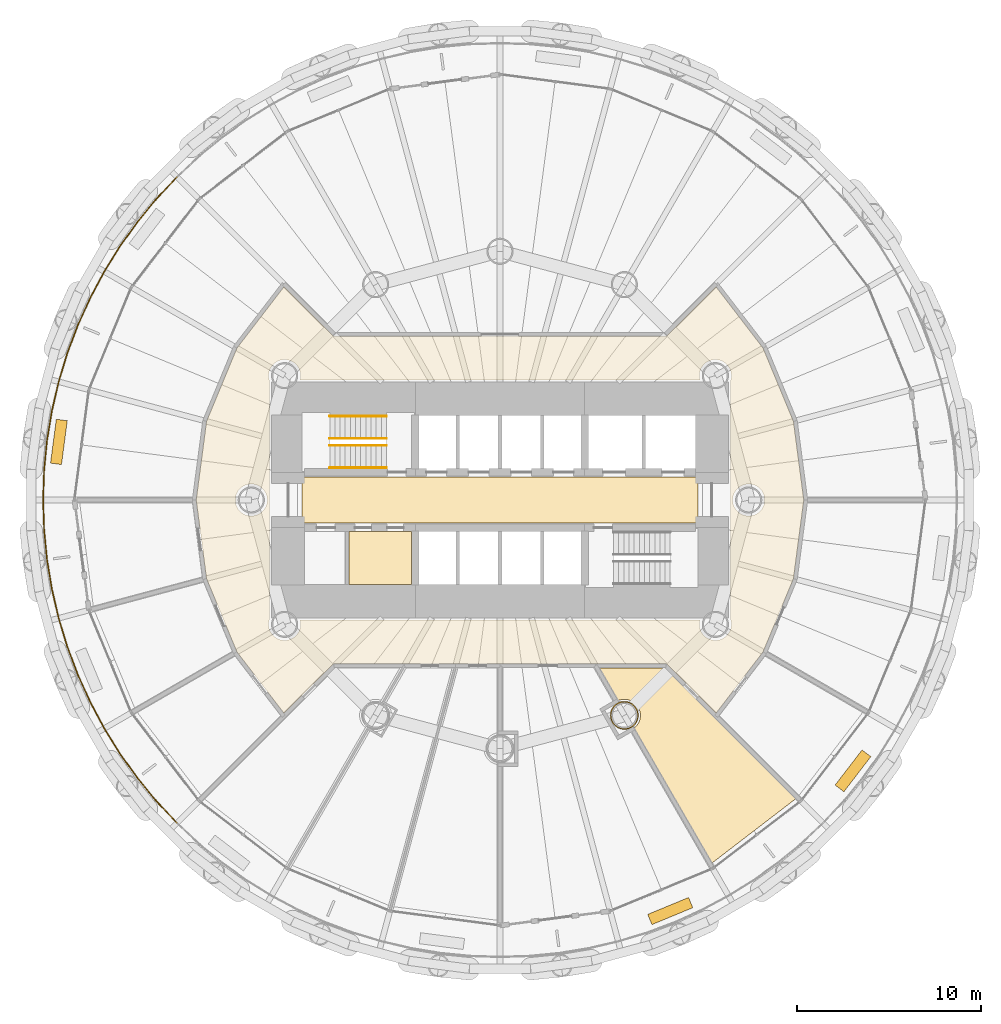
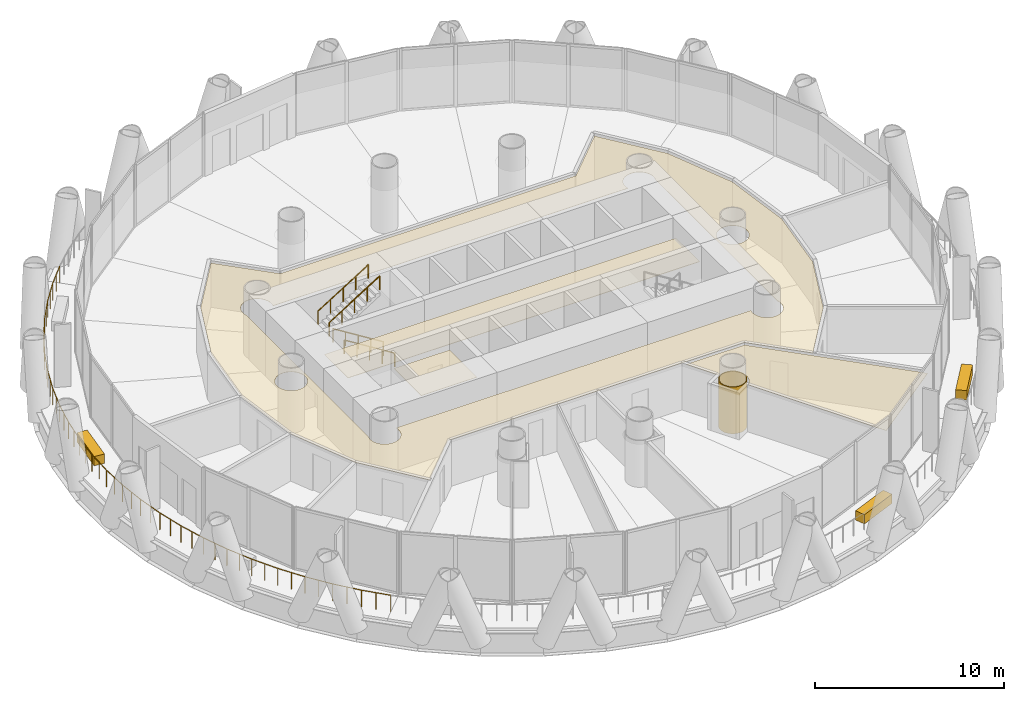
# One storey, part 14 of 16: 8 coverings, 5 railings.
"""IFC4 building model written with IfcOpenShell, lengths in metres."""

from ifc_helpers import new_model, si_unit, direction, frame, origin, origin_2d, place, context, subcontext, project, spatial, polyline, rectangle, circle, outline, extrude, material, layer, layer_set, type_object, element, save


model = new_model("IFC4")

# Units and contexts
model_context = context("Model", 3, precision=1e-05, world=origin(), true_north=direction((0.0, 1.0)))
body_context = subcontext(model_context, "Body", "Model", "MODEL_VIEW")
ifc_project = project(units=[si_unit("LENGTHUNIT", "METRE"), si_unit("AREAUNIT", "SQUARE_METRE"), si_unit("VOLUMEUNIT", "CUBIC_METRE"), si_unit("PLANEANGLEUNIT", "RADIAN"), si_unit("MASSUNIT", "GRAM", prefix="KILO")], contexts=[model_context])

# Site, building, storey
site_placement = place(None, origin())
site = spatial("IfcSite", under=ifc_project, at=site_placement, CompositionType="ELEMENT")
building_placement = place(site_placement, origin())
building = spatial("IfcBuilding", under=site, at=building_placement, Name="Qaws Media Tower", CompositionType="ELEMENT")
storey_placement = place(building_placement, frame((0.0, 0.0, 80.60009765625)))
storey = spatial("IfcBuildingStorey", under=building, at=storey_placement, Name="L17", CompositionType="ELEMENT", Elevation=80.60009765625)

# Railing
ifc_material_1 = material(Name="Stainless steel and glass guard", Category="steel")
railing_type_1 = type_object("IfcRailingType", Name="Balcony guard 1100", PredefinedType="GUARDRAIL", material=ifc_material_1)
railing_placement = place(storey_placement, frame((42.4638671875, 67.5361328125, 0.0)))
element("IfcRailing", 1, at=railing_placement, inside=storey, type_object=railing_type_1, Name="GR1 balcony guard L17-2", PredefinedType="GUARDRAIL", context=body_context, shape_type="SweptSolid", body=[
    extrude(circle(Radius=0.02392578125, at=origin_2d()), frame((0.0, 0.0, 1.076171875), z_axis=(-0.683635794022, -0.729823335563, 0.0), x_axis=(0.729823335563, -0.683635794022, 0.0)), (0.0, 0.0, 1.0), 1.622802734375),
    extrude(circle(Radius=0.02392578125, at=origin_2d()), frame((-1.109375, -1.184326171875, 1.076171875), z_axis=(-0.634351188595, -0.773044998385, 0.0), x_axis=(0.773044998385, -0.634351188595, 0.0)), (0.0, 0.0, 1.0), 1.623046875),
    extrude(circle(Radius=0.02392578125, at=origin_2d()), frame((-2.138916015625, -2.43896484375, 1.076171875), z_axis=(-0.582504032604, -0.812827812024, 0.0), x_axis=(0.812827812024, -0.582504032604, 0.0)), (0.0, 0.0, 1.0), 1.622802734375),
    extrude(circle(Radius=0.02392578125, at=origin_2d()), frame((-3.084228515625, -3.758056640625, 1.076171875), z_axis=(-0.528145239967, -0.849154052867, 0.0), x_axis=(0.849154052867, -0.528145239967, 0.0)), (0.0, 0.0, 1.0), 1.623046875),
    extrude(circle(Radius=0.02392578125, at=origin_2d()), frame((-3.94140625, -5.13623046875, 1.076171875), z_axis=(-0.471361130301, -0.881940295508, 0.0), x_axis=(0.881940295508, -0.471361130301, 0.0)), (0.0, 0.0, 1.0), 1.622802734375),
    extrude(circle(Radius=0.02392578125, at=origin_2d()), frame((-4.706298828125, -6.5673828125, 1.076171875), z_axis=(-0.412646518677, -0.910891239734, 0.0), x_axis=(0.910891239734, -0.412646518677, 0.0)), (0.0, 0.0, 1.0), 1.622802734375),
    extrude(circle(Radius=0.02392578125, at=origin_2d()), frame((-5.3759765625, -8.045654296875, 1.076171875), z_axis=(-0.352326658486, -0.935877089003, 0.0), x_axis=(0.935877089003, -0.352326658486, 0.0)), (0.0, 0.0, 1.0), 1.622802734375),
    extrude(circle(Radius=0.02392578125, at=origin_2d()), frame((-5.94775390625, -9.564453125, 1.076171875), z_axis=(-0.290341398585, -0.956923127669, 0.0), x_axis=(0.956923127669, -0.290341398585, 0.0)), (0.0, 0.0, 1.0), 1.622802734375),
    extrude(circle(Radius=0.02392578125, at=origin_2d()), frame((-6.4189453125, -11.117431640625, 1.076171875), z_axis=(-0.227001346389, -0.973894444351, 0.0), x_axis=(0.973894444351, -0.227001346389, 0.0)), (0.0, 0.0, 1.0), 1.623046875),
    extrude(circle(Radius=0.02392578125, at=origin_2d()), frame((-6.787353515625, -12.697998046875, 1.076171875), z_axis=(-0.162934989647, -0.986636807112, 0.0), x_axis=(0.986636807112, -0.162934989647, 0.0)), (0.0, 0.0, 1.0), 1.622802734375),
    extrude(circle(Radius=0.02392578125, at=origin_2d()), frame((-7.0517578125, -14.299072265625, 1.076171875), z_axis=(-0.097939565983, -0.995192364026, 0.0), x_axis=(0.995192364026, -0.097939565983, 0.0)), (0.0, 0.0, 1.0), 1.622802734375),
    extrude(circle(Radius=0.02392578125, at=origin_2d()), frame((-7.210693359375, -15.9140625, 1.076171875), z_axis=(-0.032793911114, -0.999462135048, 0.0), x_axis=(0.999462135048, -0.032793911114, 0.0)), (0.0, 0.0, 1.0), 1.623046875),
    extrude(circle(Radius=0.02392578125, at=origin_2d()), frame((-7.263916015625, -17.5361328125, 1.076171875), z_axis=(0.032793911114, -0.999462135048, 0.0), x_axis=(0.999462135048, 0.032793911114, 0.0)), (0.0, 0.0, 1.0), 1.623046875),
    extrude(circle(Radius=0.02392578125, at=origin_2d()), frame((-7.210693359375, -19.158203125, 1.076171875), z_axis=(0.097939565983, -0.995192364026, 0.0), x_axis=(0.995192364026, 0.097939565983, 0.0)), (0.0, 0.0, 1.0), 1.622802734375),
    extrude(circle(Radius=0.02392578125, at=origin_2d()), frame((-7.0517578125, -20.773193359375, 1.076171875), z_axis=(0.162934989647, -0.986636807112, 0.0), x_axis=(0.986636807112, 0.162934989647, 0.0)), (0.0, 0.0, 1.0), 1.622802734375),
    extrude(circle(Radius=0.02392578125, at=origin_2d()), frame((-6.787353515625, -22.374267578125, 1.076171875), z_axis=(0.227001346389, -0.973894444351, 0.0), x_axis=(0.973894444351, 0.227001346389, 0.0)), (0.0, 0.0, 1.0), 1.623046875),
    extrude(circle(Radius=0.02392578125, at=origin_2d()), frame((-6.4189453125, -23.954833984375, 1.076171875), z_axis=(0.290341398585, -0.956923127669, 0.0), x_axis=(0.956923127669, 0.290341398585, 0.0)), (0.0, 0.0, 1.0), 1.622802734375),
    extrude(circle(Radius=0.02392578125, at=origin_2d()), frame((-5.94775390625, -25.5078125, 1.076171875), z_axis=(0.352326658486, -0.935877089003, 0.0), x_axis=(0.935877089003, 0.352326658486, 0.0)), (0.0, 0.0, 1.0), 1.622802734375),
    extrude(circle(Radius=0.02392578125, at=origin_2d()), frame((-5.3759765625, -27.026611328125, 1.076171875), z_axis=(0.412646518677, -0.910891239734, 0.0), x_axis=(0.910891239734, 0.412646518677, 0.0)), (0.0, 0.0, 1.0), 1.622802734375),
    extrude(circle(Radius=0.02392578125, at=origin_2d()), frame((-4.706298828125, -28.5048828125, 1.076171875), z_axis=(0.471361130301, -0.881940295508, 0.0), x_axis=(0.881940295508, 0.471361130301, 0.0)), (0.0, 0.0, 1.0), 1.622802734375),
    extrude(circle(Radius=0.02392578125, at=origin_2d()), frame((-3.94140625, -29.93603515625, 1.076171875), z_axis=(0.528145239967, -0.849154052867, 0.0), x_axis=(0.849154052867, 0.528145239967, 0.0)), (0.0, 0.0, 1.0), 1.623046875),
    extrude(circle(Radius=0.02392578125, at=origin_2d()), frame((-3.084228515625, -31.314208984375, 1.076171875), z_axis=(0.582504032604, -0.812827812024, 0.0), x_axis=(0.812827812024, 0.582504032604, 0.0)), (0.0, 0.0, 1.0), 1.622802734375),
    extrude(circle(Radius=0.02392578125, at=origin_2d()), frame((-2.138916015625, -32.63330078125, 1.076171875), z_axis=(0.634351188595, -0.773044998385, 0.0), x_axis=(0.773044998385, 0.634351188595, 0.0)), (0.0, 0.0, 1.0), 1.623046875),
    extrude(circle(Radius=0.02392578125, at=origin_2d()), frame((-1.109375, -33.887939453125, 1.076171875), z_axis=(0.683635794022, -0.729823335563, 0.0), x_axis=(0.729823335563, 0.683635794022, 0.0)), (0.0, 0.0, 1.0), 1.622802734375),
    extrude(circle(Radius=0.02099609375, at=origin_2d()), origin(), (0.0, 0.0, 1.0), 1.052001953125),
    extrude(circle(Radius=0.02099609375, at=origin_2d()), frame((-0.5546875, -0.59228515625, 0.0)), (0.0, 0.0, 1.0), 1.052001953125),
    extrude(circle(Radius=0.02099609375, at=origin_2d()), frame((-1.109375, -1.184326171875, 0.0)), (0.0, 0.0, 1.0), 1.052001953125),
    extrude(circle(Radius=0.02099609375, at=origin_2d()), frame((-1.6240234375, -1.8115234375, 0.0)), (0.0, 0.0, 1.0), 1.052001953125),
    extrude(circle(Radius=0.02099609375, at=origin_2d()), frame((-2.138916015625, -2.43896484375, 0.0)), (0.0, 0.0, 1.0), 1.052001953125),
    extrude(circle(Radius=0.02099609375, at=origin_2d()), frame((-2.611572265625, -3.0986328125, 0.0)), (0.0, 0.0, 1.0), 1.052001953125),
    extrude(circle(Radius=0.02099609375, at=origin_2d()), frame((-3.084228515625, -3.758056640625, 0.0)), (0.0, 0.0, 1.0), 1.052001953125),
    extrude(circle(Radius=0.02099609375, at=origin_2d()), frame((-3.5126953125, -4.447265625, 0.0)), (0.0, 0.0, 1.0), 1.052001953125),
    extrude(circle(Radius=0.02099609375, at=origin_2d()), frame((-3.94140625, -5.13623046875, 0.0)), (0.0, 0.0, 1.0), 1.052001953125),
    extrude(circle(Radius=0.02099609375, at=origin_2d()), frame((-4.32373046875, -5.851806640625, 0.0)), (0.0, 0.0, 1.0), 1.052001953125),
    extrude(circle(Radius=0.02099609375, at=origin_2d()), frame((-4.706298828125, -6.5673828125, 0.0)), (0.0, 0.0, 1.0), 1.052001953125),
    extrude(circle(Radius=0.02099609375, at=origin_2d()), frame((-5.041015625, -7.306640625, 0.0)), (0.0, 0.0, 1.0), 1.052001953125),
    extrude(circle(Radius=0.02099609375, at=origin_2d()), frame((-5.3759765625, -8.045654296875, 0.0)), (0.0, 0.0, 1.0), 1.052001953125),
    extrude(circle(Radius=0.02099609375, at=origin_2d()), frame((-5.661865234375, -8.80517578125, 0.0)), (0.0, 0.0, 1.0), 1.052001953125),
    extrude(circle(Radius=0.02099609375, at=origin_2d()), frame((-5.94775390625, -9.564453125, 0.0)), (0.0, 0.0, 1.0), 1.052001953125),
    extrude(circle(Radius=0.02099609375, at=origin_2d()), frame((-6.183349609375, -10.3408203125, 0.0)), (0.0, 0.0, 1.0), 1.052001953125),
    extrude(circle(Radius=0.02099609375, at=origin_2d()), frame((-6.4189453125, -11.117431640625, 0.0)), (0.0, 0.0, 1.0), 1.052001953125),
    extrude(circle(Radius=0.02099609375, at=origin_2d()), frame((-6.60302734375, -11.90771484375, 0.0)), (0.0, 0.0, 1.0), 1.052001953125),
    extrude(circle(Radius=0.02099609375, at=origin_2d()), frame((-6.787353515625, -12.697998046875, 0.0)), (0.0, 0.0, 1.0), 1.052001953125),
    extrude(circle(Radius=0.02099609375, at=origin_2d()), frame((-6.91943359375, -13.49853515625, 0.0)), (0.0, 0.0, 1.0), 1.052001953125),
    extrude(circle(Radius=0.02099609375, at=origin_2d()), frame((-7.0517578125, -14.299072265625, 0.0)), (0.0, 0.0, 1.0), 1.052001953125),
    extrude(circle(Radius=0.02099609375, at=origin_2d()), frame((-7.13134765625, -15.1064453125, 0.0)), (0.0, 0.0, 1.0), 1.052001953125),
    extrude(circle(Radius=0.02099609375, at=origin_2d()), frame((-7.210693359375, -15.9140625, 0.0)), (0.0, 0.0, 1.0), 1.052001953125),
    extrude(circle(Radius=0.02099609375, at=origin_2d()), frame((-7.2373046875, -16.72509765625, 0.0)), (0.0, 0.0, 1.0), 1.052001953125),
    extrude(circle(Radius=0.02099609375, at=origin_2d()), frame((-7.263916015625, -17.5361328125, 0.0)), (0.0, 0.0, 1.0), 1.052001953125),
    extrude(circle(Radius=0.02099609375, at=origin_2d()), frame((-7.2373046875, -18.34716796875, 0.0)), (0.0, 0.0, 1.0), 1.052001953125),
    extrude(circle(Radius=0.02099609375, at=origin_2d()), frame((-7.210693359375, -19.158203125, 0.0)), (0.0, 0.0, 1.0), 1.052001953125),
    extrude(circle(Radius=0.02099609375, at=origin_2d()), frame((-7.13134765625, -19.9658203125, 0.0)), (0.0, 0.0, 1.0), 1.052001953125),
    extrude(circle(Radius=0.02099609375, at=origin_2d()), frame((-7.0517578125, -20.773193359375, 0.0)), (0.0, 0.0, 1.0), 1.052001953125),
    extrude(circle(Radius=0.02099609375, at=origin_2d()), frame((-6.91943359375, -21.57373046875, 0.0)), (0.0, 0.0, 1.0), 1.052001953125),
    extrude(circle(Radius=0.02099609375, at=origin_2d()), frame((-6.787353515625, -22.374267578125, 0.0)), (0.0, 0.0, 1.0), 1.052001953125),
    extrude(circle(Radius=0.02099609375, at=origin_2d()), frame((-6.60302734375, -23.16455078125, 0.0)), (0.0, 0.0, 1.0), 1.052001953125),
    extrude(circle(Radius=0.02099609375, at=origin_2d()), frame((-6.4189453125, -23.954833984375, 0.0)), (0.0, 0.0, 1.0), 1.052001953125),
    extrude(circle(Radius=0.02099609375, at=origin_2d()), frame((-6.183349609375, -24.7314453125, 0.0)), (0.0, 0.0, 1.0), 1.052001953125),
    extrude(circle(Radius=0.02099609375, at=origin_2d()), frame((-5.94775390625, -25.5078125, 0.0)), (0.0, 0.0, 1.0), 1.052001953125),
    extrude(circle(Radius=0.02099609375, at=origin_2d()), frame((-5.661865234375, -26.26708984375, 0.0)), (0.0, 0.0, 1.0), 1.052001953125),
    extrude(circle(Radius=0.02099609375, at=origin_2d()), frame((-5.3759765625, -27.026611328125, 0.0)), (0.0, 0.0, 1.0), 1.052001953125),
    extrude(circle(Radius=0.02099609375, at=origin_2d()), frame((-5.041015625, -27.765625, 0.0)), (0.0, 0.0, 1.0), 1.052001953125),
    extrude(circle(Radius=0.02099609375, at=origin_2d()), frame((-4.706298828125, -28.5048828125, 0.0)), (0.0, 0.0, 1.0), 1.052001953125),
    extrude(circle(Radius=0.02099609375, at=origin_2d()), frame((-4.32373046875, -29.220458984375, 0.0)), (0.0, 0.0, 1.0), 1.052001953125),
    extrude(circle(Radius=0.02099609375, at=origin_2d()), frame((-3.94140625, -29.93603515625, 0.0)), (0.0, 0.0, 1.0), 1.052001953125),
    extrude(circle(Radius=0.02099609375, at=origin_2d()), frame((-3.5126953125, -30.625, 0.0)), (0.0, 0.0, 1.0), 1.052001953125),
    extrude(circle(Radius=0.02099609375, at=origin_2d()), frame((-3.084228515625, -31.314208984375, 0.0)), (0.0, 0.0, 1.0), 1.052001953125),
    extrude(circle(Radius=0.02099609375, at=origin_2d()), frame((-2.611572265625, -31.9736328125, 0.0)), (0.0, 0.0, 1.0), 1.052001953125),
    extrude(circle(Radius=0.02099609375, at=origin_2d()), frame((-2.138916015625, -32.63330078125, 0.0)), (0.0, 0.0, 1.0), 1.052001953125),
    extrude(circle(Radius=0.02099609375, at=origin_2d()), frame((-1.6240234375, -33.2607421875, 0.0)), (0.0, 0.0, 1.0), 1.052001953125),
    extrude(circle(Radius=0.02099609375, at=origin_2d()), frame((-1.109375, -33.887939453125, 0.0)), (0.0, 0.0, 1.0), 1.052001953125),
    extrude(circle(Radius=0.02099609375, at=origin_2d()), frame((-0.5546875, -34.47998046875, 0.0)), (0.0, 0.0, 1.0), 1.052001953125),
    extrude(circle(Radius=0.02099609375, at=origin_2d()), frame((0.0, -35.072265625, 0.0)), (0.0, 0.0, 1.0), 1.052001953125),
])

# Coverings
ifc_material_2 = material(Name="Two layers 15 fire-rated gypsum board on steel framing", Category="steel")
ifc_layer_1 = layer(ifc_material_2, 0.050048828125)
ifc_layer_set_1 = layer_set([ifc_layer_1], Name="Column fire casing")
covering_type_1 = type_object("IfcCoveringType", Name="Column fire casing", PredefinedType="CLADDING", material=ifc_layer_set_1)
covering_1_placement = place(storey_placement, origin())
element("IfcCovering", 2, at=covering_1_placement, inside=storey, type_object=covering_type_1, Name="CC1 column casing L17", PredefinedType="CLADDING", context=body_context, shape_type="SweptSolid", body=[
    extrude(outline(polyline([(67.51611328125, 38.30859375), (67.509521484375, 38.208740234375), (67.489990234375, 38.1103515625), (67.457763671875, 38.015380859375), (67.413330078125, 37.92578125), (67.357666015625, 37.84228515625), (67.29150390625, 37.76708984375), (67.21630859375, 37.700927734375), (67.133056640625, 37.645263671875), (67.043212890625, 37.60107421875), (66.9482421875, 37.56884765625), (66.85009765625, 37.54931640625), (66.75, 37.542724609375), (66.64990234375, 37.54931640625), (66.5517578125, 37.56884765625), (66.456787109375, 37.60107421875), (66.366943359375, 37.645263671875), (66.28369140625, 37.700927734375), (66.20849609375, 37.76708984375), (66.142333984375, 37.84228515625), (66.086669921875, 37.92578125), (66.042236328125, 38.015380859375), (66.010009765625, 38.1103515625), (65.990478515625, 38.208740234375), (65.98388671875, 38.30859375), (65.990478515625, 38.40869140625), (66.010009765625, 38.5068359375), (66.042236328125, 38.601806640625), (66.086669921875, 38.691650390625), (66.142333984375, 38.77490234375), (66.20849609375, 38.850341796875), (66.28369140625, 38.91650390625), (66.366943359375, 38.971923828125), (66.456787109375, 39.016357421875), (66.5517578125, 39.048583984375), (66.64990234375, 39.068115234375), (66.75, 39.07470703125), (66.85009765625, 39.068115234375), (66.9482421875, 39.048583984375), (67.043212890625, 39.016357421875), (67.133056640625, 38.971923828125), (67.21630859375, 38.91650390625), (67.29150390625, 38.850341796875), (67.357666015625, 38.77490234375), (67.413330078125, 38.691650390625), (67.457763671875, 38.601806640625), (67.489990234375, 38.5068359375), (67.509521484375, 38.40869140625), (67.51611328125, 38.30859375)]), holes=[polyline([(67.464111328125, 38.30859375), (67.4580078125, 38.215576171875), (67.439697265625, 38.123779296875), (67.40966796875, 38.035400390625), (67.368408203125, 37.95166015625), (67.31640625, 37.8740234375), (67.2548828125, 37.8037109375), (67.184814453125, 37.7421875), (67.10693359375, 37.690185546875), (67.023193359375, 37.64892578125), (66.934814453125, 37.618896484375), (66.84326171875, 37.600830078125), (66.75, 37.5947265625), (66.65673828125, 37.600830078125), (66.565185546875, 37.618896484375), (66.476806640625, 37.64892578125), (66.39306640625, 37.690185546875), (66.315185546875, 37.7421875), (66.2451171875, 37.8037109375), (66.18359375, 37.8740234375), (66.131591796875, 37.95166015625), (66.09033203125, 38.035400390625), (66.060302734375, 38.123779296875), (66.0419921875, 38.215576171875), (66.035888671875, 38.30859375), (66.0419921875, 38.40185546875), (66.060302734375, 38.493408203125), (66.09033203125, 38.581787109375), (66.131591796875, 38.665771484375), (66.18359375, 38.743408203125), (66.2451171875, 38.8134765625), (66.315185546875, 38.875), (66.39306640625, 38.927001953125), (66.476806640625, 38.96826171875), (66.565185546875, 38.998291015625), (66.65673828125, 39.0166015625), (66.75, 39.022705078125), (66.84326171875, 39.0166015625), (66.934814453125, 38.998291015625), (67.023193359375, 38.96826171875), (67.10693359375, 38.927001953125), (67.184814453125, 38.875), (67.2548828125, 38.8134765625), (67.31640625, 38.743408203125), (67.368408203125, 38.665771484375), (67.40966796875, 38.581787109375), (67.439697265625, 38.493408203125), (67.4580078125, 38.40185546875), (67.464111328125, 38.30859375)])]), origin(), (0.0, 0.0, 1.0), 3.02001953125),
])
ifc_material_3 = material(Name="600 x 600 mineral fibre tiles in exposed grid, suspended", Category="mineral fibre")
ifc_layer_2 = layer(ifc_material_3, 0.02001953125)
ifc_layer_set_2 = layer_set([ifc_layer_2], Name="Mineral fibre tile ceiling 20")
covering_type_2 = type_object("IfcCoveringType", Name="Mineral fibre tile ceiling 20", PredefinedType="CEILING", material=ifc_layer_set_2)
covering_2_placement = place(storey_placement, frame((0.0, 0.0, 2.849853515625)))
element("IfcCovering", 3, at=covering_2_placement, inside=storey, type_object=covering_type_2, Name="CL1 ceiling L17-01 Corridor", PredefinedType="CEILING", context=body_context, shape_type="SweptSolid", body=[
    extrude(outline(polyline([(48.273193359375, 38.432373046875), (45.72216796875, 41.756591796875), (44.0751953125, 45.73291015625), (43.513427734375, 50.0), (44.0751953125, 54.26708984375), (45.72216796875, 58.243408203125), (48.273193359375, 61.567626953125), (50.953369140625, 58.887451171875), (69.046630859375, 58.887451171875), (71.726806640625, 61.567626953125), (74.27783203125, 58.243408203125), (75.9248046875, 54.26708984375), (76.486572265625, 50.0), (75.9248046875, 45.73291015625), (74.27783203125, 41.756591796875), (71.726806640625, 38.432373046875), (69.046630859375, 41.112548828125), (50.953369140625, 41.112548828125), (48.273193359375, 38.432373046875)]), holes=[polyline([(49.14599609375, 56.512451171875), (49.14990234375, 56.524658203125), (49.172119140625, 56.63623046875), (49.1796875, 56.75), (49.172119140625, 56.86376953125), (49.14990234375, 56.975341796875), (49.11328125, 57.083251953125), (49.06298828125, 57.185546875), (48.999755859375, 57.2802734375), (48.924560546875, 57.365966796875), (48.8388671875, 57.44091796875), (48.744140625, 57.50439453125), (48.64208984375, 57.5546875), (48.5341796875, 57.59130859375), (48.42236328125, 57.613525390625), (48.30859375, 57.62109375), (48.195068359375, 57.613525390625), (48.083251953125, 57.59130859375), (47.975341796875, 57.5546875), (47.873291015625, 57.50439453125), (47.7783203125, 57.44091796875), (47.69287109375, 57.365966796875), (47.61767578125, 57.2802734375), (47.55419921875, 57.185546875), (47.50390625, 57.083251953125), (47.46728515625, 56.975341796875), (47.445068359375, 56.86376953125), (47.437744140625, 56.75), (47.445068359375, 56.63623046875), (47.46728515625, 56.524658203125), (47.487548828125, 56.465087890625), (47.487548828125, 43.534912109375), (47.46728515625, 43.475341796875), (47.445068359375, 43.36376953125), (47.437744140625, 43.25), (47.445068359375, 43.13623046875), (47.46728515625, 43.024658203125), (47.50390625, 42.916748046875), (47.55419921875, 42.814453125), (47.61767578125, 42.7197265625), (47.69287109375, 42.634033203125), (47.7783203125, 42.55908203125), (47.873291015625, 42.49560546875), (47.975341796875, 42.4453125), (48.083251953125, 42.40869140625), (48.195068359375, 42.386474609375), (48.30859375, 42.37890625), (48.42236328125, 42.386474609375), (48.5341796875, 42.40869140625), (48.64208984375, 42.4453125), (48.744140625, 42.49560546875), (48.8388671875, 42.55908203125), (48.924560546875, 42.634033203125), (48.999755859375, 42.7197265625), (49.06298828125, 42.814453125), (49.11328125, 42.916748046875), (49.14990234375, 43.024658203125), (49.172119140625, 43.13623046875), (49.1796875, 43.25), (49.172119140625, 43.36376953125), (49.14990234375, 43.475341796875), (49.14599609375, 43.487548828125), (70.85400390625, 43.487548828125), (70.85009765625, 43.475341796875), (70.827880859375, 43.36376953125), (70.8203125, 43.25), (70.827880859375, 43.13623046875), (70.85009765625, 43.024658203125), (70.88671875, 42.916748046875), (70.93701171875, 42.814453125), (71.000244140625, 42.7197265625), (71.075439453125, 42.634033203125), (71.1611328125, 42.55908203125), (71.255859375, 42.49560546875), (71.35791015625, 42.4453125), (71.4658203125, 42.40869140625), (71.57763671875, 42.386474609375), (71.69140625, 42.37890625), (71.804931640625, 42.386474609375), (71.916748046875, 42.40869140625), (72.024658203125, 42.4453125), (72.126708984375, 42.49560546875), (72.2216796875, 42.55908203125), (72.30712890625, 42.634033203125), (72.38232421875, 42.7197265625), (72.44580078125, 42.814453125), (72.49609375, 42.916748046875), (72.53271484375, 43.024658203125), (72.554931640625, 43.13623046875), (72.562255859375, 43.25), (72.554931640625, 43.36376953125), (72.53271484375, 43.475341796875), (72.512451171875, 43.534912109375), (72.512451171875, 56.465087890625), (72.53271484375, 56.524658203125), (72.554931640625, 56.63623046875), (72.562255859375, 56.75), (72.554931640625, 56.86376953125), (72.53271484375, 56.975341796875), (72.49609375, 57.083251953125), (72.44580078125, 57.185546875), (72.38232421875, 57.2802734375), (72.30712890625, 57.365966796875), (72.2216796875, 57.44091796875), (72.126708984375, 57.50439453125), (72.024658203125, 57.5546875), (71.916748046875, 57.59130859375), (71.804931640625, 57.613525390625), (71.69140625, 57.62109375), (71.57763671875, 57.613525390625), (71.4658203125, 57.59130859375), (71.35791015625, 57.5546875), (71.255859375, 57.50439453125), (71.1611328125, 57.44091796875), (71.075439453125, 57.365966796875), (71.000244140625, 57.2802734375), (70.93701171875, 57.185546875), (70.88671875, 57.083251953125), (70.85009765625, 56.975341796875), (70.827880859375, 56.86376953125), (70.8203125, 56.75), (70.827880859375, 56.63623046875), (70.85009765625, 56.524658203125), (70.85400390625, 56.512451171875), (49.14599609375, 56.512451171875)]), polyline([(47.3046875, 49.666748046875), (47.34130859375, 49.774658203125), (47.363525390625, 49.88623046875), (47.37109375, 50.0), (47.363525390625, 50.11376953125), (47.34130859375, 50.225341796875), (47.3046875, 50.333251953125), (47.25439453125, 50.435546875), (47.19091796875, 50.5302734375), (47.115966796875, 50.615966796875), (47.0302734375, 50.69091796875), (46.935546875, 50.75439453125), (46.833251953125, 50.8046875), (46.725341796875, 50.84130859375), (46.61376953125, 50.863525390625), (46.5, 50.87109375), (46.38623046875, 50.863525390625), (46.274658203125, 50.84130859375), (46.166748046875, 50.8046875), (46.064453125, 50.75439453125), (45.9697265625, 50.69091796875), (45.884033203125, 50.615966796875), (45.80908203125, 50.5302734375), (45.74560546875, 50.435546875), (45.6953125, 50.333251953125), (45.65869140625, 50.225341796875), (45.636474609375, 50.11376953125), (45.62890625, 50.0), (45.636474609375, 49.88623046875), (45.65869140625, 49.774658203125), (45.6953125, 49.666748046875), (45.74560546875, 49.564453125), (45.80908203125, 49.4697265625), (45.884033203125, 49.384033203125), (45.9697265625, 49.30908203125), (46.064453125, 49.24560546875), (46.166748046875, 49.1953125), (46.274658203125, 49.15869140625), (46.38623046875, 49.136474609375), (46.5, 49.12890625), (46.61376953125, 49.136474609375), (46.725341796875, 49.15869140625), (46.833251953125, 49.1953125), (46.935546875, 49.24560546875), (47.0302734375, 49.30908203125), (47.115966796875, 49.384033203125), (47.19091796875, 49.4697265625), (47.25439453125, 49.564453125), (47.3046875, 49.666748046875)]), polyline([(74.34130859375, 49.774658203125), (74.363525390625, 49.88623046875), (74.37109375, 50.0), (74.363525390625, 50.11376953125), (74.34130859375, 50.225341796875), (74.3046875, 50.333251953125), (74.25439453125, 50.435546875), (74.19091796875, 50.5302734375), (74.115966796875, 50.615966796875), (74.0302734375, 50.69091796875), (73.935546875, 50.75439453125), (73.833251953125, 50.8046875), (73.725341796875, 50.84130859375), (73.61376953125, 50.863525390625), (73.5, 50.87109375), (73.38623046875, 50.863525390625), (73.274658203125, 50.84130859375), (73.166748046875, 50.8046875), (73.064453125, 50.75439453125), (72.9697265625, 50.69091796875), (72.884033203125, 50.615966796875), (72.80908203125, 50.5302734375), (72.74560546875, 50.435546875), (72.6953125, 50.333251953125), (72.65869140625, 50.225341796875), (72.636474609375, 50.11376953125), (72.62890625, 50.0), (72.636474609375, 49.88623046875), (72.65869140625, 49.774658203125), (72.6953125, 49.666748046875), (72.74560546875, 49.564453125), (72.80908203125, 49.4697265625), (72.884033203125, 49.384033203125), (72.9697265625, 49.30908203125), (73.064453125, 49.24560546875), (73.166748046875, 49.1953125), (73.274658203125, 49.15869140625), (73.38623046875, 49.136474609375), (73.5, 49.12890625), (73.61376953125, 49.136474609375), (73.725341796875, 49.15869140625), (73.833251953125, 49.1953125), (73.935546875, 49.24560546875), (74.0302734375, 49.30908203125), (74.115966796875, 49.384033203125), (74.19091796875, 49.4697265625), (74.25439453125, 49.564453125), (74.3046875, 49.666748046875), (74.34130859375, 49.774658203125)])]), origin(), (0.0, 0.0, 1.0), 0.02001953125),
])
covering_3_placement = place(storey_placement, frame((0.0, 0.0, 2.849853515625)))
element("IfcCovering", 4, at=covering_3_placement, inside=storey, type_object=covering_type_2, Name="CL1 ceiling L17-10 Gents toilets", PredefinedType="CEILING", context=body_context, shape_type="SweptSolid", body=[
    extrude(outline(polyline([(71.507568359375, 30.293212890625), (67.279296875, 37.616943359375), (67.365966796875, 37.69287109375), (67.44091796875, 37.7783203125), (67.50439453125, 37.873291015625), (67.5546875, 37.975341796875), (67.59130859375, 38.083251953125), (67.613525390625, 38.195068359375), (67.62109375, 38.30859375), (67.613525390625, 38.42236328125), (67.59130859375, 38.5341796875), (67.5546875, 38.64208984375), (67.50439453125, 38.744140625), (67.44091796875, 38.8388671875), (67.365966796875, 38.924560546875), (67.2802734375, 38.999755859375), (67.185546875, 39.06298828125), (67.083251953125, 39.11328125), (66.975341796875, 39.14990234375), (66.86376953125, 39.172119140625), (66.75, 39.1796875), (66.63623046875, 39.172119140625), (66.524658203125, 39.14990234375), (66.41552734375, 39.11279296875), (65.39111328125, 40.887451171875), (68.953369140625, 40.887451171875), (76.056884765625, 33.783935546875), (71.507568359375, 30.293212890625)])), origin(), (0.0, 0.0, 1.0), 0.02001953125),
])
covering_4_placement = place(storey_placement, frame((0.0, 0.0, 2.849853515625)))
element("IfcCovering", 5, at=covering_4_placement, inside=storey, type_object=covering_type_2, Name="CL1 ceiling L17-C05 Shower room", PredefinedType="CEILING", context=body_context, shape_type="SweptSolid", body=[
    extrude(outline(polyline([(51.800048828125, 45.39990234375), (51.800048828125, 48.300048828125), (55.199951171875, 48.300048828125), (55.199951171875, 45.39990234375), (51.800048828125, 45.39990234375)])), origin(), (0.0, 0.0, 1.0), 0.02001953125),
])
ifc_material_4 = material(Name="Precast concrete planter with trailing planting", Category="concrete")
ifc_layer_3 = layer(ifc_material_4, 0.60009765625)
ifc_layer_set_3 = layer_set([ifc_layer_3], Name="Planter 2400x600")
covering_type_3 = type_object("IfcCoveringType", Name="Planter 2400x600", PredefinedType="USERDEFINED", material=ifc_layer_set_3)
for number, where, z_axis, x_axis, name in (
    (6, (36.056640625, 53.152099609375, -0.000244140625), (0.0, 0.0, 1.0), (-0.13052619222, -0.991444861374, 0.0), "PL1 balcony planter L17-06"),
    (7, (69.24169921875, 27.688232421875, -0.000244140625), (0.0, 0.0, 1.0), (0.923879532511, 0.382683432365, 0.0), "PL1 balcony planter L17-10"),
    (8, (79.159423828125, 35.29833984375, -0.000244140625), (0.0, 0.0, 1.0), (0.608761429009, 0.793353340291, 0.0), "PL1 balcony planter L17-11"),
):
    element("IfcCovering", number, at=place(storey_placement, frame(where, z_axis=z_axis, x_axis=x_axis)), inside=storey, type_object=covering_type_3, Name=name, ObjectType="PLANTER", PredefinedType="USERDEFINED", context=body_context, shape_type="SweptSolid", body=[
        extrude(rectangle(XDim=2.39990234375, YDim=0.60009765625, at=origin_2d()), origin(), (0.0, 0.0, 1.0), 0.60009765625),
    ])
ifc_material_5 = material(Name="Two layers 12.5 moisture-resistant plasterboard on suspended metal furring", Category="gypsum")
ifc_layer_4 = layer(ifc_material_5, 0.02490234375)
ifc_layer_set_4 = layer_set([ifc_layer_4], Name="Plasterboard ceiling 25")
covering_type_4 = type_object("IfcCoveringType", Name="Plasterboard ceiling 25", PredefinedType="CEILING", material=ifc_layer_set_4)
covering_5_placement = place(storey_placement, frame((0.0, 0.0, 2.849853515625)))
element("IfcCovering", 9, at=covering_5_placement, inside=storey, type_object=covering_type_4, Name="CL2 ceiling L17-C01 Lift lobby", PredefinedType="CEILING", context=body_context, shape_type="SweptSolid", body=[
    extrude(outline(polyline([(49.25, 48.75), (49.25, 51.25), (70.75, 51.25), (70.75, 48.75), (49.25, 48.75)])), origin(), (0.0, 0.0, 1.0), 0.025146484375),
])

# Railings
ifc_material_6 = material(Name="Steel tube handrail", Category="steel")
railing_type_2 = type_object("IfcRailingType", Name="Stair handrail 900", PredefinedType="HANDRAIL", material=ifc_material_6)
for number, where, name in (
    (10, (53.840087890625, 51.75, 0.1748046875), "HR1 handrail S1 flight 1 L17"),
    (11, (53.840087890625, 52.9599609375, 0.1748046875), "HR1 handrail S1 flight 1 L17"),
):
    element("IfcRailing", number, at=place(storey_placement, frame(where)), inside=storey, type_object=railing_type_2, Name=name, PredefinedType="HANDRAIL", context=body_context, shape_type="SweptSolid", body=[
        extrude(circle(Radius=0.02392578125, at=origin_2d()), frame((0.0, 0.0, 0.8759765625), z_axis=(-0.847998304005, 0.0, 0.529998940003), x_axis=(0.0, -1.0, 0.0)), (0.0, 0.0, 1.0), 3.632080078125),
        extrude(circle(Radius=0.02099609375, at=origin_2d()), origin(), (0.0, 0.0, 1.0), 0.851806640625),
        extrude(circle(Radius=0.02099609375, at=origin_2d()), frame((-0.77001953125, 0.0, 0.481201171875)), (0.0, 0.0, 1.0), 0.851806640625),
        extrude(circle(Radius=0.02099609375, at=origin_2d()), frame((-1.5400390625, 0.0, 0.96240234375)), (0.0, 0.0, 1.0), 0.851806640625),
        extrude(circle(Radius=0.02099609375, at=origin_2d()), frame((-2.31005859375, 0.0, 1.44384765625)), (0.0, 0.0, 1.0), 0.851806640625),
        extrude(circle(Radius=0.02099609375, at=origin_2d()), frame((-3.080078125, 0.0, 1.925048828125)), (0.0, 0.0, 1.0), 0.851806640625),
    ])
for number, where, name in (
    (12, (50.760009765625, 54.550048828125, 2.27490234375), "HR1 handrail S1 flight 2 L17"),
    (13, (50.760009765625, 53.340087890625, 2.27490234375), "HR1 handrail S1 flight 2 L17"),
):
    element("IfcRailing", number, at=place(storey_placement, frame(where)), inside=storey, type_object=railing_type_2, Name=name, PredefinedType="HANDRAIL", context=body_context, shape_type="SweptSolid", body=[
        extrude(circle(Radius=0.02392578125, at=origin_2d()), frame((0.0, 0.0, 0.8759765625), z_axis=(0.847998304005, 0.0, 0.529998940003), x_axis=(0.0, 1.0, 0.0)), (0.0, 0.0, 1.0), 3.632080078125),
        extrude(circle(Radius=0.02099609375, at=origin_2d()), origin(), (0.0, 0.0, 1.0), 0.851806640625),
        extrude(circle(Radius=0.02099609375, at=origin_2d()), frame((0.77001953125, 0.0, 0.481201171875)), (0.0, 0.0, 1.0), 0.851806640625),
        extrude(circle(Radius=0.02099609375, at=origin_2d()), frame((1.5400390625, 0.0, 0.96240234375)), (0.0, 0.0, 1.0), 0.851806640625),
        extrude(circle(Radius=0.02099609375, at=origin_2d()), frame((2.31005859375, 0.0, 1.44384765625)), (0.0, 0.0, 1.0), 0.851806640625),
        extrude(circle(Radius=0.02099609375, at=origin_2d()), frame((3.080078125, 0.0, 1.925048828125)), (0.0, 0.0, 1.0), 0.851806640625),
    ])

save(model, "model.ifc")
